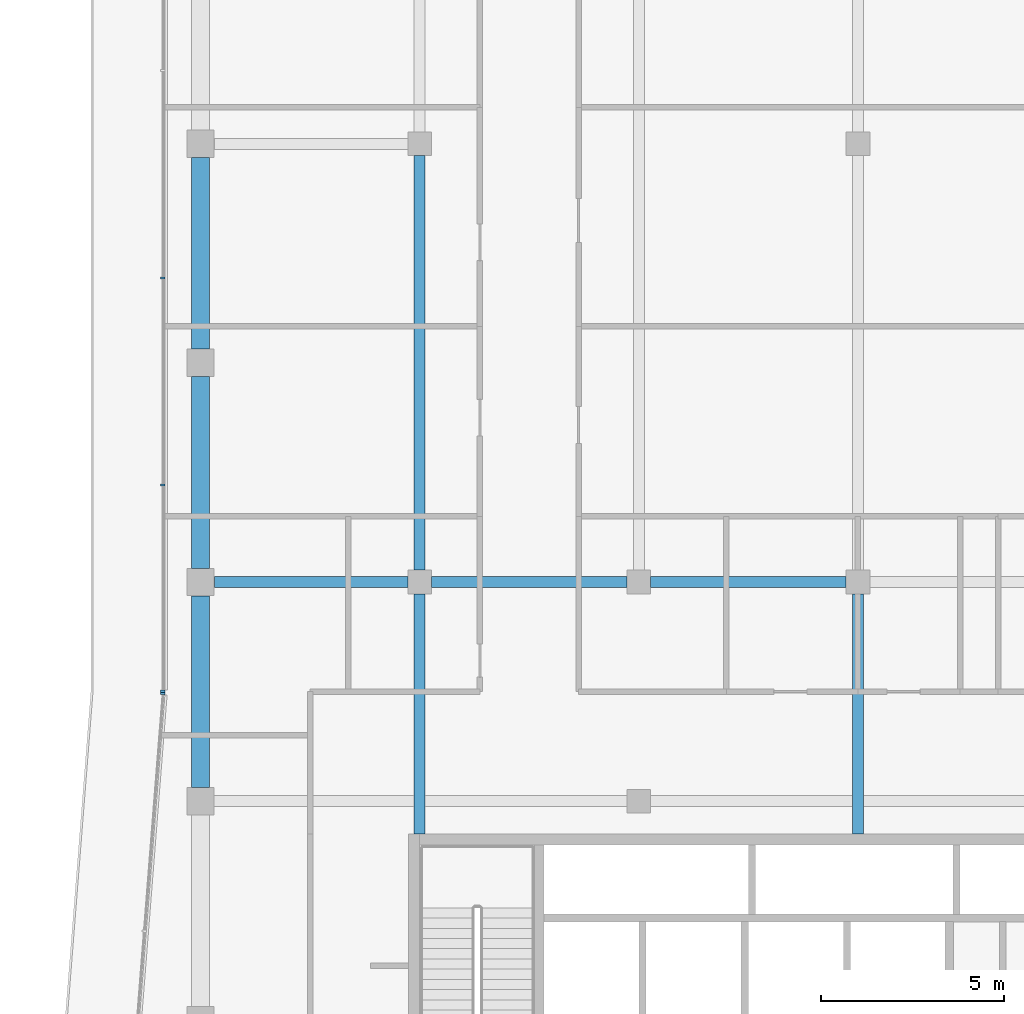
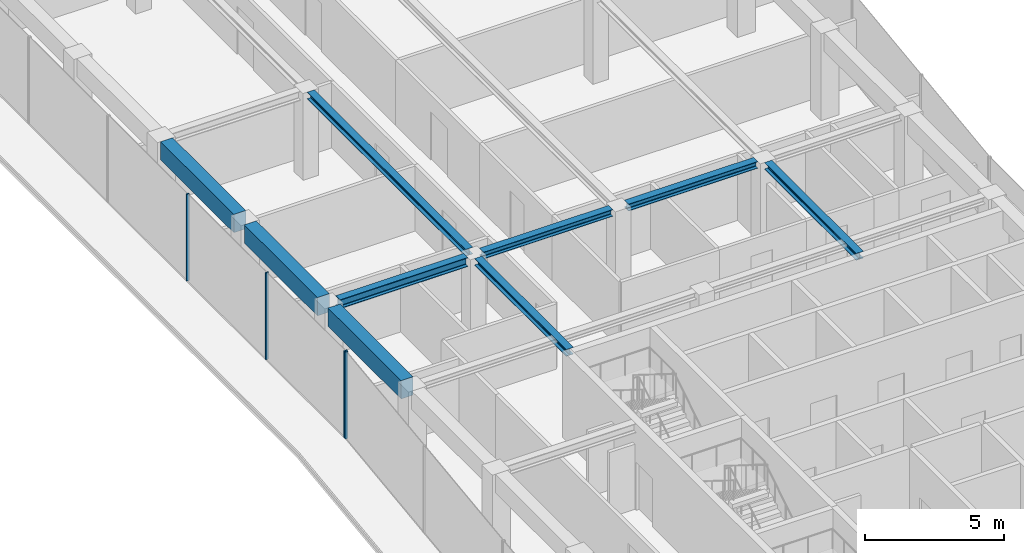
# One storey, part 6 of 22: 9 beams, 4 members, 2 elements without a shape of their own.
"""IFC4 building model written with IfcOpenShell, lengths in metres."""

from ifc_helpers import new_model, si_unit, direction, frame, origin, origin_2d, place, context, subcontext, project, spatial, rectangle, i_section, extrude, material, layer, layer_set, material_profile, profile_set, type_object, element, aggregate, save


model = new_model("IFC4")

# Units and contexts
model_context = context("Model", 3, precision=1e-05, world=origin(), true_north=direction((0.0, 1.0)))
body_context = subcontext(model_context, "Body", "Model", "MODEL_VIEW")
ifc_project = project(units=[si_unit("LENGTHUNIT", "METRE"), si_unit("AREAUNIT", "SQUARE_METRE"), si_unit("VOLUMEUNIT", "CUBIC_METRE"), si_unit("PLANEANGLEUNIT", "RADIAN"), si_unit("MASSUNIT", "GRAM", prefix="KILO")], contexts=[model_context])

# Site, building, storey
site_placement = place(None, origin())
site = spatial("IfcSite", under=ifc_project, at=site_placement, CompositionType="ELEMENT")
building_placement = place(site_placement, origin())
building = spatial("IfcBuilding", under=site, at=building_placement, Name="Welwitschia Terrace Campus", CompositionType="ELEMENT")
storey_placement = place(building_placement, frame((0.0, 0.0, 268.39990234375)))
storey = spatial("IfcBuildingStorey", under=building, at=storey_placement, Name="L59", CompositionType="ELEMENT", Elevation=268.39990234375)

# Beams
ifc_material_1 = material(Name="Steel S355", Category="steel")
ifc_material_profile_1 = material_profile(ifc_material_1, i_section(OverallWidth=0.300048828125, OverallDepth=0.300048828125, WebThickness=0.010986328125, FlangeThickness=0.01904296875, FilletRadius=0.027099609375, at=origin_2d()))
ifc_profile_set_1 = profile_set([ifc_material_profile_1], Name="Steel S355")
beam_type_1 = type_object("IfcBeamType", Name="Interior girder HE 300 B", PredefinedType="BEAM", material=ifc_profile_set_1)
for number, where, z_axis, x_axis, name in (
    (1, (6.325439453125, 32.0, 3.650146484375), (1.0, 0.0, 0.0), (0.0, 1.0, 0.0), "Girder GB6"),
    (2, (12.325439453125, 32.0, 3.650146484375), (1.0, 0.0, 0.0), (0.0, 1.0, 0.0), "Girder GB6"),
):
    element("IfcBeam", number, at=place(storey_placement, frame(where, z_axis=z_axis, x_axis=x_axis)), inside=storey, type_object=beam_type_1, Name=name, PredefinedType="BEAM", context=body_context, shape_type="SweptSolid", body=[
        extrude(i_section(OverallWidth=0.300048828125, OverallDepth=0.300048828125, WebThickness=0.010986328125, FlangeThickness=0.01904296875, FilletRadius=0.027099609375, at=origin_2d()), origin(), (0.0, 0.0, 1.0), 5.34912109375),
    ])
beam_1_placement = place(storey_placement, frame((6.0, 25.10107421875, 3.650146484375), z_axis=(0.0, 1.0, 0.0), x_axis=(-1.0, 0.0, 0.0)))
element("IfcBeam", 3, at=beam_1_placement, inside=storey, type_object=beam_type_1, Name="Girder GB6", PredefinedType="BEAM", context=body_context, shape_type="SweptSolid", body=[
    extrude(i_section(OverallWidth=0.300048828125, OverallDepth=0.300048828125, WebThickness=0.010986328125, FlangeThickness=0.01904296875, FilletRadius=0.027099609375, at=origin_2d()), origin(), (0.0, 0.0, 1.0), 6.573486328125),
])
beam_2_placement = place(storey_placement, frame((6.0, 32.325439453125, 3.650146484375), z_axis=(0.0, 1.0, 0.0), x_axis=(-1.0, 0.0, 0.0)))
element("IfcBeam", 4, at=beam_2_placement, inside=storey, type_object=beam_type_1, Name="Girder GB6", PredefinedType="BEAM", context=body_context, shape_type="SweptSolid", body=[
    extrude(i_section(OverallWidth=0.300048828125, OverallDepth=0.300048828125, WebThickness=0.010986328125, FlangeThickness=0.01904296875, FilletRadius=0.027099609375, at=origin_2d()), origin(), (0.0, 0.0, 1.0), 11.34912109375),
])
beam_3_placement = place(storey_placement, frame((18.0, 25.10107421875, 3.650146484375), z_axis=(0.0, 1.0, 0.0), x_axis=(-1.0, 0.0, 0.0)))
element("IfcBeam", 5, at=beam_3_placement, inside=storey, type_object=beam_type_1, Name="Girder GB6", PredefinedType="BEAM", context=body_context, shape_type="SweptSolid", body=[
    extrude(i_section(OverallWidth=0.300048828125, OverallDepth=0.300048828125, WebThickness=0.010986328125, FlangeThickness=0.01904296875, FilletRadius=0.027099609375, at=origin_2d()), origin(), (0.0, 0.0, 1.0), 6.573486328125),
])

# Curtain wall, members
ifc_material_2 = material(Name="Bronze anodised aluminium", Category="aluminium")
ifc_layer = layer(ifc_material_2, 0.1201171875)
ifc_layer_set = layer_set([ifc_layer], Name="Bronze anodised aluminium")
curtain_wall_type = type_object("IfcCurtainWallType", Name="Curtain wall CW2 tower 6000", PredefinedType="NOTDEFINED", material=ifc_layer_set)
curtain_wall_1_placement = place(storey_placement, origin())
curtain_wall_1 = element("IfcCurtainWall", 6, at=curtain_wall_1_placement, inside=storey, type_object=curtain_wall_type, Name="CW L59.0.0", PredefinedType="NOTDEFINED")
ifc_material_3 = material(Name="Bronze anodised aluminium", Category="aluminium")
ifc_material_profile_2 = material_profile(ifc_material_3, rectangle(XDim=0.1201171875, YDim=0.06005859375, at=origin_2d()))
ifc_profile_set_2 = profile_set([ifc_material_profile_2], Name="Bronze anodised aluminium")
member_type = type_object("IfcMemberType", Name="Mullion 60x120", PredefinedType="MULLION", material=ifc_profile_set_2)
member_1_placement = place(storey_placement, frame((-1.030029296875, 40.328369140625, 0.0), z_axis=(0.0, 0.0, 1.0), x_axis=(1.0, 0.0, 0.0)))
member_1 = element("IfcMember", 7, at=member_1_placement, type_object=member_type, Name="Mullion L59.0.0.4", PredefinedType="MULLION", context=body_context, shape_type="SweptSolid", body=[
    extrude(rectangle(XDim=0.1201171875, YDim=0.06005859375, at=origin_2d()), origin(), (0.0, 0.0, 1.0), 3.800048828125),
])
member_2_placement = place(storey_placement, frame((-1.030029296875, 34.653076171875, 0.0), z_axis=(0.0, 0.0, 1.0), x_axis=(1.0, 0.0, 0.0)))
member_2 = element("IfcMember", 8, at=member_2_placement, type_object=member_type, Name="Mullion L59.0.0.5", PredefinedType="MULLION", context=body_context, shape_type="SweptSolid", body=[
    extrude(rectangle(XDim=0.1201171875, YDim=0.06005859375, at=origin_2d()), origin(), (0.0, 0.0, 1.0), 3.800048828125),
])
member_3_placement = place(storey_placement, frame((-1.030029296875, 29.007568359375, 0.0), z_axis=(0.0, 0.0, 1.0), x_axis=(1.0, 0.0, 0.0)))
member_3 = element("IfcMember", 9, at=member_3_placement, type_object=member_type, Name="Mullion L59.0.0.6", PredefinedType="MULLION", context=body_context, shape_type="SweptSolid", body=[
    extrude(rectangle(XDim=0.1201171875, YDim=0.06005859375, at=origin_2d()), origin(), (0.0, 0.0, 1.0), 3.800048828125),
])
aggregate(curtain_wall_1, [member_1, member_2, member_3])

# Curtain wall, member
curtain_wall_2_placement = place(storey_placement, origin())
curtain_wall_2 = element("IfcCurtainWall", 10, at=curtain_wall_2_placement, inside=storey, type_object=curtain_wall_type, Name="CW L59.1.0", PredefinedType="NOTDEFINED")
member_4_placement = place(storey_placement, frame((-1.032470703125, 28.94775390625, 0.0), z_axis=(0.0, 0.0, 1.0), x_axis=(0.996917333733, -0.078459095728, 0.0)))
member_4 = element("IfcMember", 11, at=member_4_placement, type_object=member_type, Name="Mullion L59.1.0.0", PredefinedType="MULLION", context=body_context, shape_type="SweptSolid", body=[
    extrude(rectangle(XDim=0.1201171875, YDim=0.06005859375, at=origin_2d()), origin(), (0.0, 0.0, 1.0), 3.800048828125),
])
aggregate(curtain_wall_2, [member_4])

# Beams
ifc_material_4 = material(Name="Steel S355", Category="steel")
ifc_material_profile_3 = material_profile(ifc_material_4, i_section(OverallWidth=0.300048828125, OverallDepth=0.39990234375, WebThickness=0.013427734375, FlangeThickness=0.02392578125, FilletRadius=0.027099609375, at=origin_2d()))
ifc_profile_set_3 = profile_set([ifc_material_profile_3], Name="Steel S355")
beam_type_2 = type_object("IfcBeamType", Name="Primary beam HE 400 B", PredefinedType="BEAM", material=ifc_profile_set_3)
beam_4_placement = place(storey_placement, frame((0.37548828125, 32.0, 3.60009765625), z_axis=(1.0, 0.0, 0.0), x_axis=(0.0, 1.0, 0.0)))
element("IfcBeam", 12, at=beam_4_placement, inside=storey, type_object=beam_type_2, Name="Primary beam PB6", PredefinedType="BEAM", context=body_context, shape_type="SweptSolid", body=[
    extrude(i_section(OverallWidth=0.300048828125, OverallDepth=0.39990234375, WebThickness=0.013427734375, FlangeThickness=0.02392578125, FilletRadius=0.027099609375, at=origin_2d()), origin(), (0.0, 0.0, 1.0), 5.299072265625),
])
ifc_material_5 = material(Name="Concrete C50/60", Category="concrete")
ifc_material_profile_4 = material_profile(ifc_material_5, rectangle(XDim=0.5, YDim=0.800048828125, at=origin_2d()))
ifc_profile_set_4 = profile_set([ifc_material_profile_4], Name="Concrete C50/60")
beam_type_3 = type_object("IfcBeamType", Name="Ring spandrel 500x800", PredefinedType="SPANDREL", material=ifc_profile_set_4)
for number, where, z_axis, x_axis, name in (
    (13, (0.0, 43.62451171875, 3.400146484375), (0.0, -1.0, 0.0), (1.0, 0.0, 0.0), "Spandrel SP4"),
    (14, (0.0, 37.62451171875, 3.400146484375), (0.0, -1.0, 0.0), (1.0, 0.0, 0.0), "Spandrel SP4"),
    (15, (0.0, 31.62451171875, 3.400146484375), (0.0, -1.0, 0.0), (1.0, 0.0, 0.0), "Spandrel SP4"),
):
    element("IfcBeam", number, at=place(storey_placement, frame(where, z_axis=z_axis, x_axis=x_axis)), inside=storey, type_object=beam_type_3, Name=name, PredefinedType="SPANDREL", context=body_context, shape_type="SweptSolid", body=[
        extrude(rectangle(XDim=0.5, YDim=0.800048828125, at=origin_2d()), origin(), (0.0, 0.0, 1.0), 5.2490234375),
    ])

save(model, "model.ifc")
